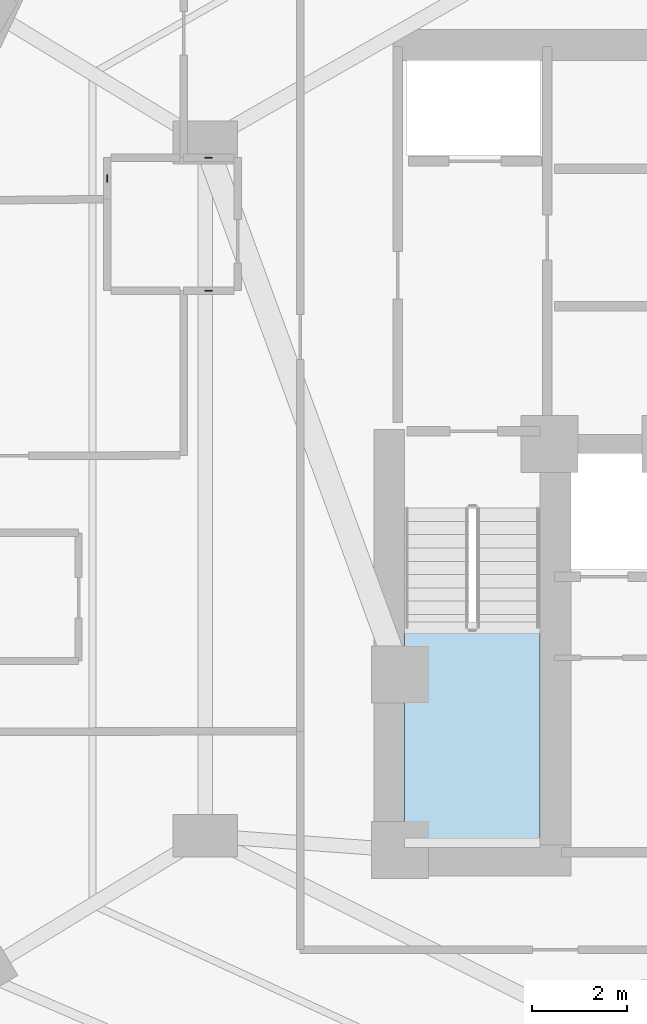
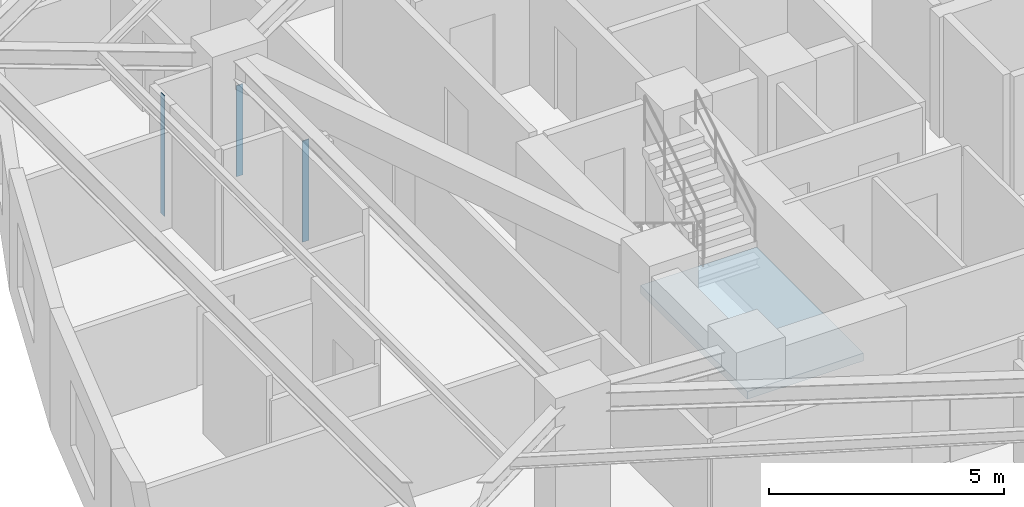
# One storey, part 2 of 13: 3 plates, 1 slab, 1 element without a shape of its own.
"""IFC4 building model written with IfcOpenShell, lengths in metres."""

from ifc_helpers import new_model, si_unit, direction, frame, origin, origin_2d, place, context, subcontext, project, spatial, polyline, rectangle, outline, extrude, material, layer, layer_set, type_object, element, aggregate, save


model = new_model("IFC4")

# Units and contexts
model_context = context("Model", 3, precision=1e-05, world=origin(), true_north=direction((0.0, 1.0)))
body_context = subcontext(model_context, "Body", "Model", "MODEL_VIEW")
ifc_project = project(units=[si_unit("LENGTHUNIT", "METRE"), si_unit("AREAUNIT", "SQUARE_METRE"), si_unit("VOLUMEUNIT", "CUBIC_METRE"), si_unit("PLANEANGLEUNIT", "RADIAN"), si_unit("MASSUNIT", "GRAM", prefix="KILO")], contexts=[model_context])

# Site, building, storey
site_placement = place(None, origin())
site = spatial("IfcSite", under=ifc_project, at=site_placement, CompositionType="ELEMENT")
building_placement = place(site_placement, origin())
building = spatial("IfcBuilding", under=site, at=building_placement, Name="Miruveldt Soraemaru", CompositionType="ELEMENT")
storey_placement = place(building_placement, frame((0.0, 0.0, 63.199951171875)))
storey = spatial("IfcBuildingStorey", under=building, at=storey_placement, Name="L17", CompositionType="ELEMENT", Elevation=63.199951171875)

# Plates
ifc_material_1 = material(Name="Anodised aluminium EN AW-6063 T6", Category="aluminium")
ifc_layer_1 = layer(ifc_material_1, 0.02001953125, Name="Anodised aluminium EN AW-6063 T6", Category="aluminium")
ifc_layer_set_1 = layer_set([ifc_layer_1], Name="Anodised aluminium EN AW-6063 T6")
plate_type = type_object("IfcPlateType", Name="PLT-PART-TRIM", PredefinedType="SHEET", material=ifc_layer_set_1)
plate_1_placement = place(storey_placement, frame((31.471923828125, 50.080078125, 0.0), z_axis=(0.0, 0.0, 1.0), x_axis=(-1.0, 0.0, 0.0)))
element("IfcPlate", 1, at=plate_1_placement, inside=storey, type_object=plate_type, Name="L17 Partition Step Corner Trim Plate 047", PredefinedType="SHEET", context=body_context, shape_type="SweptSolid", body=[
    extrude(rectangle(XDim=0.159912109375, YDim=0.02001953125, at=origin_2d()), origin(), (0.0, 0.0, 1.0), 2.363037109375),
])
plate_2_placement = place(storey_placement, frame((31.471923828125, 47.280029296875, 0.0), z_axis=(0.0, 0.0, 1.0), x_axis=(1.0, 0.0, 0.0)))
element("IfcPlate", 2, at=plate_2_placement, inside=storey, type_object=plate_type, Name="L17 Partition Step Corner Trim Plate 048", PredefinedType="SHEET", context=body_context, shape_type="SweptSolid", body=[
    extrude(rectangle(XDim=0.159912109375, YDim=0.02001953125, at=origin_2d()), origin(), (0.0, 0.0, 1.0), 2.625),
])
plate_3_placement = place(storey_placement, frame((29.333984375, 49.642578125, 0.0), z_axis=(0.0, 0.0, 1.0), x_axis=(0.0, -1.0, 0.0)))
element("IfcPlate", 3, at=plate_3_placement, inside=storey, type_object=plate_type, Name="L17 Partition Step Corner Trim Plate 056", PredefinedType="SHEET", context=body_context, shape_type="SweptSolid", body=[
    extrude(rectangle(XDim=0.159912109375, YDim=0.02001953125, at=origin_2d()), origin(), (0.0, 0.0, 1.0), 3.125),
])

# Stair, slab
ifc_material_2 = material(Name="Concrete C40/50 (40 MPa)", Category="concrete")
stair_type = type_object("IfcStairType", Name="STAIR-DL-340", PredefinedType="HALF_TURN_STAIR", material=ifc_material_2)
stair_placement = place(storey_placement, origin())
stair = element("IfcStair", 4, at=stair_placement, inside=storey, type_object=stair_type, Name="L17 Protected Exit Stair ST-1", PredefinedType="HALF_TURN_STAIR")
ifc_layer_2 = layer(ifc_material_2, 0.199951171875, Name="Concrete C40/50 (40 MPa)", Category="concrete")
ifc_layer_set_2 = layer_set([ifc_layer_2], Name="Concrete C40/50 (40 MPa)")
slab_type = type_object("IfcSlabType", Name="SLAB-LAND-200", PredefinedType="LANDING", material=ifc_layer_set_2)
slab_placement = place(storey_placement, frame((0.0, 0.0, 1.5)))
slab = element("IfcSlab", 5, at=slab_placement, type_object=slab_type, Name="ST-1 landing 1", PredefinedType="LANDING", context=body_context, shape_type="SweptSolid", body=[
    extrude(outline(polyline([(35.60009765625, 40.197998046875), (35.60009765625, 35.64990234375), (38.449951171875, 35.64990234375), (38.449951171875, 40.197998046875), (35.60009765625, 40.197998046875)])), origin(), (0.0, 0.0, 1.0), 0.199951171875),
])
aggregate(stair, [slab])

save(model, "model.ifc")
